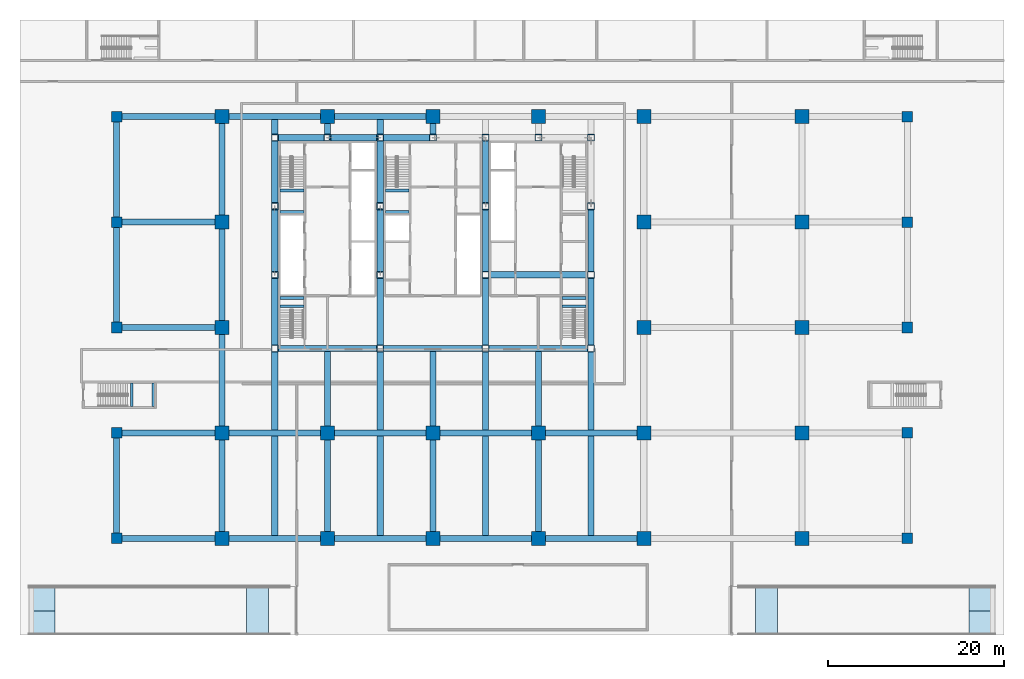
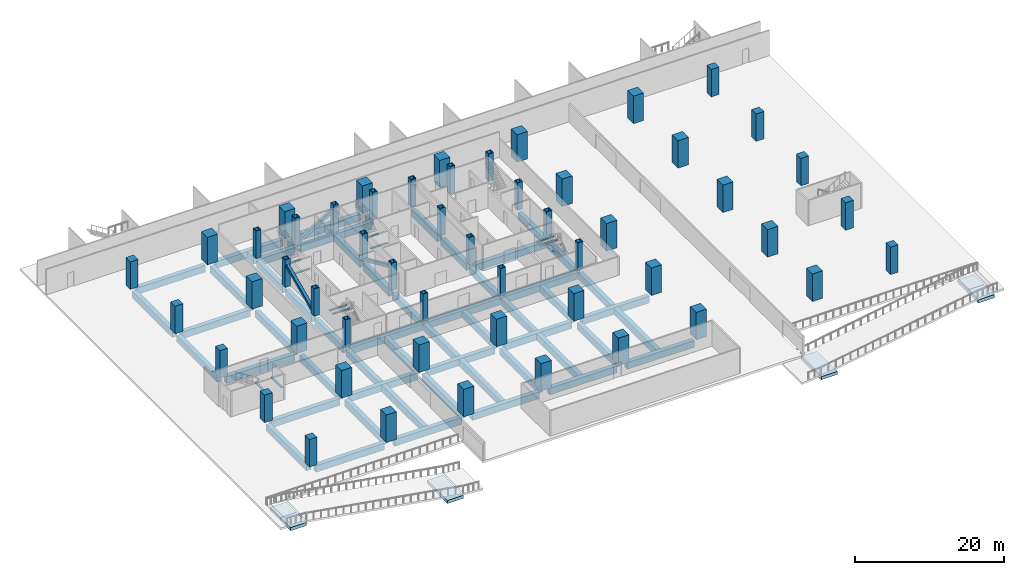
# One storey, part 1 of 15: 68 beams, 53 columns, 6 footings, 3 members.
"""IFC4 building model written with IfcOpenShell, lengths in metres."""

from ifc_helpers import new_model, si_unit, direction, frame, origin, origin_2d, place, context, subcontext, project, spatial, polyline, rectangle, hollow_rectangle, outline, extrude, material, layer, layer_set, material_profile, profile_set, type_object, element, save


model = new_model("IFC4")

# Units and contexts
model_context = context("Model", 3, precision=1e-05, world=origin(), true_north=direction((0.0, 1.0)))
body_context = subcontext(model_context, "Body", "Model", "MODEL_VIEW")
ifc_project = project(units=[si_unit("LENGTHUNIT", "METRE"), si_unit("AREAUNIT", "SQUARE_METRE"), si_unit("VOLUMEUNIT", "CUBIC_METRE"), si_unit("PLANEANGLEUNIT", "RADIAN"), si_unit("MASSUNIT", "GRAM", prefix="KILO")], contexts=[model_context])

# Site, building, storey
site_placement = place(None, origin())
site = spatial("IfcSite", under=ifc_project, at=site_placement, CompositionType="ELEMENT")
building_placement = place(site_placement, origin())
building = spatial("IfcBuilding", under=site, at=building_placement, Name="Sorahane Residences", CompositionType="ELEMENT")
storey_placement = place(building_placement, frame((0.0, 0.0, -9.0)))
storey = spatial("IfcBuildingStorey", under=building, at=storey_placement, Name="B2", CompositionType="ELEMENT", Elevation=-9.0)

# Footings
ifc_material_1 = material(Name="Concrete C35", Category="concrete")
ifc_layer = layer(ifc_material_1, 0.5)
ifc_layer_set = layer_set([ifc_layer], Name="Ramp bearing strip 500 mm Concrete C35")
footing_type = type_object("IfcFootingType", Name="Ramp bearing strip 500 mm Concrete C35", PredefinedType="STRIP_FOOTING", material=ifc_layer_set)
footing_1_placement = place(storey_placement, frame((0.0, 0.0, -1.0)))
element("IfcFooting", 1, at=footing_1_placement, inside=storey, type_object=footing_type, Name="Ramp bearing strip", PredefinedType="STRIP_FOOTING", context=body_context, shape_type="SweptSolid", body=[
    extrude(outline(polyline([(85.0, -11.0), (87.5, -11.0), (87.5, -8.25), (85.0, -8.25), (85.0, -11.0)])), origin(), (0.0, 0.0, 1.0), 0.5),
])
footing_2_placement = place(storey_placement, frame((0.0, 0.0, -1.0)))
element("IfcFooting", 2, at=footing_2_placement, inside=storey, type_object=footing_type, Name="Ramp bearing strip", PredefinedType="STRIP_FOOTING", context=body_context, shape_type="SweptSolid", body=[
    extrude(outline(polyline([(85.0, -8.25), (87.5, -8.25), (87.5, -5.5), (85.0, -5.5), (85.0, -8.25)])), origin(), (0.0, 0.0, 1.0), 0.5),
])
footing_3_placement = place(storey_placement, frame((0.0, 0.0, -5.050048828125)))
element("IfcFooting", 3, at=footing_3_placement, inside=storey, type_object=footing_type, Name="Ramp bearing strip", PredefinedType="STRIP_FOOTING", context=body_context, shape_type="SweptSolid", body=[
    extrude(outline(polyline([(60.699951171875, -11.0), (63.199951171875, -11.0), (63.199951171875, -5.5), (60.699951171875, -5.5), (60.699951171875, -11.0)])), origin(), (0.0, 0.0, 1.0), 0.5),
])
footing_4_placement = place(storey_placement, frame((0.0, 0.0, -1.0)))
element("IfcFooting", 4, at=footing_4_placement, inside=storey, type_object=footing_type, Name="Ramp bearing strip", PredefinedType="STRIP_FOOTING", context=body_context, shape_type="SweptSolid", body=[
    extrude(outline(polyline([(-21.5, -11.0), (-19.0, -11.0), (-19.0, -8.25), (-21.5, -8.25), (-21.5, -11.0)])), origin(), (0.0, 0.0, 1.0), 0.5),
])
footing_5_placement = place(storey_placement, frame((0.0, 0.0, -1.0)))
element("IfcFooting", 5, at=footing_5_placement, inside=storey, type_object=footing_type, Name="Ramp bearing strip", PredefinedType="STRIP_FOOTING", context=body_context, shape_type="SweptSolid", body=[
    extrude(outline(polyline([(-21.5, -8.25), (-19.0, -8.25), (-19.0, -5.5), (-21.5, -5.5), (-21.5, -8.25)])), origin(), (0.0, 0.0, 1.0), 0.5),
])
footing_6_placement = place(storey_placement, frame((0.0, 0.0, -5.050048828125)))
element("IfcFooting", 6, at=footing_6_placement, inside=storey, type_object=footing_type, Name="Ramp bearing strip", PredefinedType="STRIP_FOOTING", context=body_context, shape_type="SweptSolid", body=[
    extrude(outline(polyline([(2.800048828125, -11.0), (5.300048828125, -11.0), (5.300048828125, -5.5), (2.800048828125, -5.5), (2.800048828125, -11.0)])), origin(), (0.0, 0.0, 1.0), 0.5),
])

# Columns
ifc_material_2 = material(Name="Concrete C60", Category="concrete")
ifc_material_profile_1 = material_profile(ifc_material_2, rectangle(XDim=1.199951171875, YDim=1.199951171875, at=origin_2d()), Name="1200x1200")
ifc_profile_set_1 = profile_set([ifc_material_profile_1], Name="Concrete C60")
column_type_1 = type_object("IfcColumnType", Name="RC column 1200 x 1200 Concrete C60", PredefinedType="COLUMN", material=ifc_profile_set_1)
for number, where, z_axis, x_axis, name in (
    (7, (-12.0, 0.0, 0.0), (0.0, 0.0, 1.0), (1.0, 0.0, 0.0), "Column B2 m12/0"),
    (8, (-12.0, 12.0, 0.0), (0.0, 0.0, 1.0), (1.0, 0.0, 0.0), "Column B2 m12/12"),
    (9, (-12.0, 24.0, 0.0), (0.0, 0.0, 1.0), (1.0, 0.0, 0.0), "Column B2 m12/24"),
    (10, (-12.0, 36.0, 0.0), (0.0, 0.0, 1.0), (1.0, 0.0, 0.0), "Column B2 m12/36"),
    (11, (-12.0, 48.0, 0.0), (0.0, 0.0, 1.0), (1.0, 0.0, 0.0), "Column B2 m12/48"),
    (12, (78.0, 0.0, 0.0), (0.0, 0.0, 1.0), (1.0, 0.0, 0.0), "Column B2 78/0"),
    (13, (78.0, 12.0, 0.0), (0.0, 0.0, 1.0), (1.0, 0.0, 0.0), "Column B2 78/12"),
    (14, (78.0, 24.0, 0.0), (0.0, 0.0, 1.0), (1.0, 0.0, 0.0), "Column B2 78/24"),
    (15, (78.0, 36.0, 0.0), (0.0, 0.0, 1.0), (1.0, 0.0, 0.0), "Column B2 78/36"),
    (16, (78.0, 48.0, 0.0), (0.0, 0.0, 1.0), (1.0, 0.0, 0.0), "Column B2 78/48"),
):
    element("IfcColumn", number, at=place(storey_placement, frame(where, z_axis=z_axis, x_axis=x_axis)), inside=storey, type_object=column_type_1, Name=name, PredefinedType="COLUMN", context=body_context, shape_type="SweptSolid", body=[
        extrude(rectangle(XDim=1.199951171875, YDim=1.199951171875, at=origin_2d()), origin(), (0.0, 0.0, 1.0), 4.5),
    ])
ifc_material_3 = material(Name="Concrete C60", Category="concrete")
ifc_material_profile_2 = material_profile(ifc_material_3, rectangle(XDim=1.60009765625, YDim=1.60009765625, at=origin_2d()), Name="1600x1600")
ifc_profile_set_2 = profile_set([ifc_material_profile_2], Name="Concrete C60")
column_type_2 = type_object("IfcColumnType", Name="RC column 1600 x 1600 Concrete C60", PredefinedType="COLUMN", material=ifc_profile_set_2)
for number, where, z_axis, x_axis, name in (
    (17, (0.0, 0.0, 0.0), (0.0, 0.0, 1.0), (1.0, 0.0, 0.0), "Column B2 0/0"),
    (18, (0.0, 12.0, 0.0), (0.0, 0.0, 1.0), (1.0, 0.0, 0.0), "Column B2 0/12"),
    (19, (0.0, 24.0, 0.0), (0.0, 0.0, 1.0), (1.0, 0.0, 0.0), "Column B2 0/24"),
    (20, (0.0, 36.0, 0.0), (0.0, 0.0, 1.0), (1.0, 0.0, 0.0), "Column B2 0/36"),
    (21, (0.0, 48.0, 0.0), (0.0, 0.0, 1.0), (1.0, 0.0, 0.0), "Column B2 0/48"),
    (22, (12.0, 0.0, 0.0), (0.0, 0.0, 1.0), (1.0, 0.0, 0.0), "Column B2 12/0"),
    (23, (12.0, 12.0, 0.0), (0.0, 0.0, 1.0), (1.0, 0.0, 0.0), "Column B2 12/12"),
    (24, (12.0, 48.0, 0.0), (0.0, 0.0, 1.0), (1.0, 0.0, 0.0), "Column B2 12/48"),
    (25, (24.0, 0.0, 0.0), (0.0, 0.0, 1.0), (1.0, 0.0, 0.0), "Column B2 24/0"),
    (26, (24.0, 12.0, 0.0), (0.0, 0.0, 1.0), (1.0, 0.0, 0.0), "Column B2 24/12"),
    (27, (24.0, 48.0, 0.0), (0.0, 0.0, 1.0), (1.0, 0.0, 0.0), "Column B2 24/48"),
    (28, (36.0, 0.0, 0.0), (0.0, 0.0, 1.0), (1.0, 0.0, 0.0), "Column B2 36/0"),
    (29, (36.0, 12.0, 0.0), (0.0, 0.0, 1.0), (1.0, 0.0, 0.0), "Column B2 36/12"),
    (30, (36.0, 48.0, 0.0), (0.0, 0.0, 1.0), (1.0, 0.0, 0.0), "Column B2 36/48"),
    (31, (48.0, 0.0, 0.0), (0.0, 0.0, 1.0), (1.0, 0.0, 0.0), "Column B2 48/0"),
    (32, (48.0, 12.0, 0.0), (0.0, 0.0, 1.0), (1.0, 0.0, 0.0), "Column B2 48/12"),
    (33, (48.0, 24.0, 0.0), (0.0, 0.0, 1.0), (1.0, 0.0, 0.0), "Column B2 48/24"),
    (34, (48.0, 36.0, 0.0), (0.0, 0.0, 1.0), (1.0, 0.0, 0.0), "Column B2 48/36"),
    (35, (48.0, 48.0, 0.0), (0.0, 0.0, 1.0), (1.0, 0.0, 0.0), "Column B2 48/48"),
    (36, (66.0, 0.0, 0.0), (0.0, 0.0, 1.0), (1.0, 0.0, 0.0), "Column B2 66/0"),
    (37, (66.0, 12.0, 0.0), (0.0, 0.0, 1.0), (1.0, 0.0, 0.0), "Column B2 66/12"),
    (38, (66.0, 24.0, 0.0), (0.0, 0.0, 1.0), (1.0, 0.0, 0.0), "Column B2 66/24"),
    (39, (66.0, 36.0, 0.0), (0.0, 0.0, 1.0), (1.0, 0.0, 0.0), "Column B2 66/36"),
    (40, (66.0, 48.0, 0.0), (0.0, 0.0, 1.0), (1.0, 0.0, 0.0), "Column B2 66/48"),
):
    element("IfcColumn", number, at=place(storey_placement, frame(where, z_axis=z_axis, x_axis=x_axis)), inside=storey, type_object=column_type_2, Name=name, PredefinedType="COLUMN", context=body_context, shape_type="SweptSolid", body=[
        extrude(rectangle(XDim=1.60009765625, YDim=1.60009765625, at=origin_2d()), origin(), (0.0, 0.0, 1.0), 4.5),
    ])
ifc_material_4 = material(Name="Steel Q420GJ", Category="steel")
ifc_material_profile_3 = material_profile(ifc_material_4, hollow_rectangle(XDim=0.800048828125, YDim=0.800048828125, WallThickness=0.070068359375, at=origin_2d()), Name="BOX 800x800x70")
ifc_profile_set_3 = profile_set([ifc_material_profile_3], Name="Steel Q420GJ")
column_type_3 = type_object("IfcColumnType", Name="Steel box column BOX 800x800x70 Q420GJ", PredefinedType="COLUMN", material=ifc_profile_set_3)
for number, where, z_axis, x_axis, name in (
    (41, (6.0, 21.60009765625, 0.0), (0.0, 0.0, 1.0), (1.0, 0.0, 0.0), "Column B2 6/21.6"),
    (42, (6.0, 30.0, 0.0), (0.0, 0.0, 1.0), (1.0, 0.0, 0.0), "Column B2 6/30"),
    (43, (6.0, 37.800048828125, 0.0), (0.0, 0.0, 1.0), (1.0, 0.0, 0.0), "Column B2 6/37.8"),
    (44, (6.0, 45.60009765625, 0.0), (0.0, 0.0, 1.0), (1.0, 0.0, 0.0), "Column B2 6/45.6"),
    (45, (12.0, 45.60009765625, 0.0), (0.0, 0.0, 1.0), (1.0, 0.0, 0.0), "Column B2 12/45.6"),
    (46, (18.0, 21.60009765625, 0.0), (0.0, 0.0, 1.0), (1.0, 0.0, 0.0), "Column B2 18/21.6"),
    (47, (18.0, 30.0, 0.0), (0.0, 0.0, 1.0), (1.0, 0.0, 0.0), "Column B2 18/30"),
    (48, (18.0, 37.800048828125, 0.0), (0.0, 0.0, 1.0), (1.0, 0.0, 0.0), "Column B2 18/37.8"),
    (49, (18.0, 45.60009765625, 0.0), (0.0, 0.0, 1.0), (1.0, 0.0, 0.0), "Column B2 18/45.6"),
    (50, (24.0, 45.60009765625, 0.0), (0.0, 0.0, 1.0), (1.0, 0.0, 0.0), "Column B2 24/45.6"),
    (51, (30.0, 21.60009765625, 0.0), (0.0, 0.0, 1.0), (1.0, 0.0, 0.0), "Column B2 30/21.6"),
    (52, (30.0, 30.0, 0.0), (0.0, 0.0, 1.0), (1.0, 0.0, 0.0), "Column B2 30/30"),
    (53, (30.0, 37.800048828125, 0.0), (0.0, 0.0, 1.0), (1.0, 0.0, 0.0), "Column B2 30/37.8"),
    (54, (30.0, 45.60009765625, 0.0), (0.0, 0.0, 1.0), (1.0, 0.0, 0.0), "Column B2 30/45.6"),
    (55, (36.0, 45.60009765625, 0.0), (0.0, 0.0, 1.0), (1.0, 0.0, 0.0), "Column B2 36/45.6"),
    (56, (42.0, 21.60009765625, 0.0), (0.0, 0.0, 1.0), (1.0, 0.0, 0.0), "Column B2 42/21.6"),
    (57, (42.0, 30.0, 0.0), (0.0, 0.0, 1.0), (1.0, 0.0, 0.0), "Column B2 42/30"),
    (58, (42.0, 37.800048828125, 0.0), (0.0, 0.0, 1.0), (1.0, 0.0, 0.0), "Column B2 42/37.8"),
    (59, (42.0, 45.60009765625, 0.0), (0.0, 0.0, 1.0), (1.0, 0.0, 0.0), "Column B2 42/45.6"),
):
    element("IfcColumn", number, at=place(storey_placement, frame(where, z_axis=z_axis, x_axis=x_axis)), inside=storey, type_object=column_type_3, Name=name, PredefinedType="COLUMN", context=body_context, shape_type="SweptSolid", body=[
        extrude(hollow_rectangle(XDim=0.800048828125, YDim=0.800048828125, WallThickness=0.070068359375, at=origin_2d()), origin(), (0.0, 0.0, 1.0), 4.5),
    ])

# Members
ifc_material_5 = material(Name="Steel Q355B", Category="steel")
ifc_material_profile_4 = material_profile(ifc_material_5, hollow_rectangle(XDim=0.5, YDim=0.5, WallThickness=0.02490234375, InnerFilletRadius=0.012451171875, OuterFilletRadius=0.03759765625, at=origin_2d()), Name="RHS 500x500x25")
ifc_profile_set_4 = profile_set([ifc_material_profile_4], Name="Steel Q355B")
member_type = type_object("IfcMemberType", Name="Core brace RHS 500x500x25 Q355B", PredefinedType="BRACE", material=ifc_profile_set_4)
member_placement = place(storey_placement, frame((12.321533203125, 45.60009765625, 0.201904296875), z_axis=(0.852399074137, 0.0, 0.522891784608), x_axis=(0.0, 1.0, 0.0)))
element("IfcMember", 60, at=member_placement, inside=storey, type_object=member_type, Name="Core brace B2 y45.6-2", PredefinedType="BRACE", context=body_context, shape_type="SweptSolid", body=[
    extrude(hollow_rectangle(XDim=0.5, YDim=0.5, WallThickness=0.02490234375, InnerFilletRadius=0.012451171875, OuterFilletRadius=0.03759765625, at=origin_2d()), origin(), (0.0, 0.0, 1.0), 6.284423828125),
])
for number, where, z_axis, x_axis, name in (
    (61, (6.0, 30.337890625, 0.2216796875), (0.0, 0.909967717614, 0.41467909629), (-1.0, 0.0, 0.0), "Core brace B2 x6-2"),
    (62, (18.0, 37.462158203125, 0.2216796875), (0.0, -0.909967717614, 0.41467909629), (1.0, 0.0, 0.0), "Core brace B2 x18-1"),
):
    element("IfcMember", number, at=place(storey_placement, frame(where, z_axis=z_axis, x_axis=x_axis)), inside=storey, type_object=member_type, Name=name, PredefinedType="BRACE", context=body_context, shape_type="SweptSolid", body=[
        extrude(hollow_rectangle(XDim=0.5, YDim=0.5, WallThickness=0.02490234375, InnerFilletRadius=0.012451171875, OuterFilletRadius=0.03759765625, at=origin_2d()), origin(), (0.0, 0.0, 1.0), 7.8291015625),
    ])

# Beams
ifc_material_6 = material(Name="Concrete C40", Category="concrete")
ifc_material_profile_5 = material_profile(ifc_material_6, rectangle(XDim=0.699951171875, YDim=1.10009765625, at=origin_2d()), Name="700x1100")
ifc_profile_set_5 = profile_set([ifc_material_profile_5], Name="Concrete C40")
beam_type_1 = type_object("IfcBeamType", Name="RC beam 700 x 1100 Concrete C40", PredefinedType="BEAM", material=ifc_profile_set_5)
beam_1_placement = place(storey_placement, frame((-11.39990234375, 0.0, -0.89990234375), z_axis=(1.0, 0.0, 0.0), x_axis=(0.0, 1.0, 0.0)))
element("IfcBeam", 63, at=beam_1_placement, inside=storey, type_object=beam_type_1, Name="Beam B2 000", PredefinedType="BEAM", context=body_context, shape_type="SweptSolid", body=[
    extrude(rectangle(XDim=0.699951171875, YDim=1.10009765625, at=origin_2d()), origin(), (0.0, 0.0, 1.0), 10.599853515625),
])
for number, where, z_axis, x_axis, name in (
    (64, (0.800048828125, 0.0, -0.89990234375), (1.0, 0.0, 0.0), (0.0, 1.0, 0.0), "Beam B2 001"),
    (65, (12.800048828125, 0.0, -0.89990234375), (1.0, 0.0, 0.0), (0.0, 1.0, 0.0), "Beam B2 002"),
    (66, (24.800048828125, 0.0, -0.89990234375), (1.0, 0.0, 0.0), (0.0, 1.0, 0.0), "Beam B2 003"),
    (67, (36.800048828125, 0.0, -0.89990234375), (1.0, 0.0, 0.0), (0.0, 1.0, 0.0), "Beam B2 004"),
):
    element("IfcBeam", number, at=place(storey_placement, frame(where, z_axis=z_axis, x_axis=x_axis)), inside=storey, type_object=beam_type_1, Name=name, PredefinedType="BEAM", context=body_context, shape_type="SweptSolid", body=[
        extrude(rectangle(XDim=0.699951171875, YDim=1.10009765625, at=origin_2d()), origin(), (0.0, 0.0, 1.0), 10.39990234375),
    ])
beam_2_placement = place(storey_placement, frame((-11.39990234375, 12.0, -0.89990234375), z_axis=(1.0, 0.0, 0.0), x_axis=(0.0, 1.0, 0.0)))
element("IfcBeam", 68, at=beam_2_placement, inside=storey, type_object=beam_type_1, Name="Beam B2 007", PredefinedType="BEAM", context=body_context, shape_type="SweptSolid", body=[
    extrude(rectangle(XDim=0.699951171875, YDim=1.10009765625, at=origin_2d()), origin(), (0.0, 0.0, 1.0), 10.599853515625),
])
for number, where, z_axis, x_axis, name in (
    (69, (0.800048828125, 12.0, -0.89990234375), (1.0, 0.0, 0.0), (0.0, 1.0, 0.0), "Beam B2 008"),
    (70, (12.800048828125, 12.0, -0.89990234375), (1.0, 0.0, 0.0), (0.0, 1.0, 0.0), "Beam B2 009"),
    (71, (24.800048828125, 12.0, -0.89990234375), (1.0, 0.0, 0.0), (0.0, 1.0, 0.0), "Beam B2 010"),
    (72, (36.800048828125, 12.0, -0.89990234375), (1.0, 0.0, 0.0), (0.0, 1.0, 0.0), "Beam B2 011"),
):
    element("IfcBeam", number, at=place(storey_placement, frame(where, z_axis=z_axis, x_axis=x_axis)), inside=storey, type_object=beam_type_1, Name=name, PredefinedType="BEAM", context=body_context, shape_type="SweptSolid", body=[
        extrude(rectangle(XDim=0.699951171875, YDim=1.10009765625, at=origin_2d()), origin(), (0.0, 0.0, 1.0), 10.39990234375),
    ])
for number, where, z_axis, x_axis, name in (
    (73, (-11.39990234375, 24.0, -0.89990234375), (1.0, 0.0, 0.0), (0.0, 1.0, 0.0), "Beam B2 014"),
    (74, (-11.39990234375, 36.0, -0.89990234375), (1.0, 0.0, 0.0), (0.0, 1.0, 0.0), "Beam B2 017"),
    (75, (-11.39990234375, 48.0, -0.89990234375), (1.0, 0.0, 0.0), (0.0, 1.0, 0.0), "Beam B2 020"),
):
    element("IfcBeam", number, at=place(storey_placement, frame(where, z_axis=z_axis, x_axis=x_axis)), inside=storey, type_object=beam_type_1, Name=name, PredefinedType="BEAM", context=body_context, shape_type="SweptSolid", body=[
        extrude(rectangle(XDim=0.699951171875, YDim=1.10009765625, at=origin_2d()), origin(), (0.0, 0.0, 1.0), 10.599853515625),
    ])
for number, where, z_axis, x_axis, name in (
    (76, (0.800048828125, 48.0, -0.89990234375), (1.0, 0.0, 0.0), (0.0, 1.0, 0.0), "Beam B2 021"),
    (77, (12.800048828125, 48.0, -0.89990234375), (1.0, 0.0, 0.0), (0.0, 1.0, 0.0), "Beam B2 022"),
):
    element("IfcBeam", number, at=place(storey_placement, frame(where, z_axis=z_axis, x_axis=x_axis)), inside=storey, type_object=beam_type_1, Name=name, PredefinedType="BEAM", context=body_context, shape_type="SweptSolid", body=[
        extrude(rectangle(XDim=0.699951171875, YDim=1.10009765625, at=origin_2d()), origin(), (0.0, 0.0, 1.0), 10.39990234375),
    ])
for number, where, z_axis, x_axis, name in (
    (78, (6.39990234375, 21.60009765625, -0.89990234375), (1.0, 0.0, 0.0), (0.0, 1.0, 0.0), "Beam B2 027"),
    (79, (18.39990234375, 21.60009765625, -0.89990234375), (1.0, 0.0, 0.0), (0.0, 1.0, 0.0), "Beam B2 028"),
    (80, (30.39990234375, 21.60009765625, -0.89990234375), (1.0, 0.0, 0.0), (0.0, 1.0, 0.0), "Beam B2 029"),
    (81, (30.39990234375, 30.0, -0.89990234375), (1.0, 0.0, 0.0), (0.0, 1.0, 0.0), "Beam B2 030"),
):
    element("IfcBeam", number, at=place(storey_placement, frame(where, z_axis=z_axis, x_axis=x_axis)), inside=storey, type_object=beam_type_1, Name=name, PredefinedType="BEAM", context=body_context, shape_type="SweptSolid", body=[
        extrude(rectangle(XDim=0.699951171875, YDim=1.10009765625, at=origin_2d()), origin(), (0.0, 0.0, 1.0), 11.2001953125),
    ])
for number, where, z_axis, x_axis, name in (
    (82, (6.39990234375, 45.60009765625, -0.89990234375), (1.0, 0.0, 0.0), (0.0, 1.0, 0.0), "Beam B2 031"),
    (83, (12.39990234375, 45.60009765625, -0.89990234375), (1.0, 0.0, 0.0), (0.0, 1.0, 0.0), "Beam B2 032"),
    (84, (18.39990234375, 45.60009765625, -0.89990234375), (1.0, 0.0, 0.0), (0.0, 1.0, 0.0), "Beam B2 033"),
):
    element("IfcBeam", number, at=place(storey_placement, frame(where, z_axis=z_axis, x_axis=x_axis)), inside=storey, type_object=beam_type_1, Name=name, PredefinedType="BEAM", context=body_context, shape_type="SweptSolid", body=[
        extrude(rectangle(XDim=0.699951171875, YDim=1.10009765625, at=origin_2d()), origin(), (0.0, 0.0, 1.0), 5.2001953125),
    ])
for number, where, z_axis, x_axis, name in (
    (85, (-12.0, 0.60009765625, -0.89990234375), (0.0, 1.0, 0.0), (-1.0, 0.0, 0.0), "Beam B2 037"),
    (86, (-12.0, 24.60009765625, -0.89990234375), (0.0, 1.0, 0.0), (-1.0, 0.0, 0.0), "Beam B2 038"),
    (87, (-12.0, 36.60009765625, -0.89990234375), (0.0, 1.0, 0.0), (-1.0, 0.0, 0.0), "Beam B2 039"),
):
    element("IfcBeam", number, at=place(storey_placement, frame(where, z_axis=z_axis, x_axis=x_axis)), inside=storey, type_object=beam_type_1, Name=name, PredefinedType="BEAM", context=body_context, shape_type="SweptSolid", body=[
        extrude(rectangle(XDim=0.699951171875, YDim=1.10009765625, at=origin_2d()), origin(), (0.0, 0.0, 1.0), 10.7998046875),
    ])
for number, where, z_axis, x_axis, name in (
    (88, (0.0, 0.800048828125, -0.89990234375), (0.0, 1.0, 0.0), (-1.0, 0.0, 0.0), "Beam B2 040"),
    (89, (0.0, 12.800048828125, -0.89990234375), (0.0, 1.0, 0.0), (-1.0, 0.0, 0.0), "Beam B2 041"),
    (90, (0.0, 24.800048828125, -0.89990234375), (0.0, 1.0, 0.0), (-1.0, 0.0, 0.0), "Beam B2 042"),
    (91, (0.0, 36.800048828125, -0.89990234375), (0.0, 1.0, 0.0), (-1.0, 0.0, 0.0), "Beam B2 043"),
    (92, (12.0, 0.800048828125, -0.89990234375), (0.0, 1.0, 0.0), (-1.0, 0.0, 0.0), "Beam B2 044"),
):
    element("IfcBeam", number, at=place(storey_placement, frame(where, z_axis=z_axis, x_axis=x_axis)), inside=storey, type_object=beam_type_1, Name=name, PredefinedType="BEAM", context=body_context, shape_type="SweptSolid", body=[
        extrude(rectangle(XDim=0.699951171875, YDim=1.10009765625, at=origin_2d()), origin(), (0.0, 0.0, 1.0), 10.39990234375),
    ])
beam_3_placement = place(storey_placement, frame((12.0, 12.800048828125, -0.89990234375), z_axis=(0.0, 1.0, 0.0), x_axis=(-1.0, 0.0, 0.0)))
element("IfcBeam", 93, at=beam_3_placement, inside=storey, type_object=beam_type_1, Name="Beam B2 045", PredefinedType="BEAM", context=body_context, shape_type="SweptSolid", body=[
    extrude(rectangle(XDim=0.699951171875, YDim=1.10009765625, at=origin_2d()), origin(), (0.0, 0.0, 1.0), 8.449951171875),
])
beam_4_placement = place(storey_placement, frame((12.0, 46.0, -0.89990234375), z_axis=(0.0, 1.0, 0.0), x_axis=(-1.0, 0.0, 0.0)))
element("IfcBeam", 94, at=beam_4_placement, inside=storey, type_object=beam_type_1, Name="Beam B2 046", PredefinedType="BEAM", context=body_context, shape_type="SweptSolid", body=[
    extrude(rectangle(XDim=0.699951171875, YDim=1.10009765625, at=origin_2d()), origin(), (0.0, 0.0, 1.0), 1.199951171875),
])
beam_5_placement = place(storey_placement, frame((24.0, 0.800048828125, -0.89990234375), z_axis=(0.0, 1.0, 0.0), x_axis=(-1.0, 0.0, 0.0)))
element("IfcBeam", 95, at=beam_5_placement, inside=storey, type_object=beam_type_1, Name="Beam B2 047", PredefinedType="BEAM", context=body_context, shape_type="SweptSolid", body=[
    extrude(rectangle(XDim=0.699951171875, YDim=1.10009765625, at=origin_2d()), origin(), (0.0, 0.0, 1.0), 10.39990234375),
])
beam_6_placement = place(storey_placement, frame((24.0, 12.800048828125, -0.89990234375), z_axis=(0.0, 1.0, 0.0), x_axis=(-1.0, 0.0, 0.0)))
element("IfcBeam", 96, at=beam_6_placement, inside=storey, type_object=beam_type_1, Name="Beam B2 048", PredefinedType="BEAM", context=body_context, shape_type="SweptSolid", body=[
    extrude(rectangle(XDim=0.699951171875, YDim=1.10009765625, at=origin_2d()), origin(), (0.0, 0.0, 1.0), 8.449951171875),
])
beam_7_placement = place(storey_placement, frame((24.0, 46.0, -0.89990234375), z_axis=(0.0, 1.0, 0.0), x_axis=(-1.0, 0.0, 0.0)))
element("IfcBeam", 97, at=beam_7_placement, inside=storey, type_object=beam_type_1, Name="Beam B2 049", PredefinedType="BEAM", context=body_context, shape_type="SweptSolid", body=[
    extrude(rectangle(XDim=0.699951171875, YDim=1.10009765625, at=origin_2d()), origin(), (0.0, 0.0, 1.0), 1.199951171875),
])
beam_8_placement = place(storey_placement, frame((36.0, 0.800048828125, -0.89990234375), z_axis=(0.0, 1.0, 0.0), x_axis=(-1.0, 0.0, 0.0)))
element("IfcBeam", 98, at=beam_8_placement, inside=storey, type_object=beam_type_1, Name="Beam B2 050", PredefinedType="BEAM", context=body_context, shape_type="SweptSolid", body=[
    extrude(rectangle(XDim=0.699951171875, YDim=1.10009765625, at=origin_2d()), origin(), (0.0, 0.0, 1.0), 10.39990234375),
])
beam_9_placement = place(storey_placement, frame((36.0, 12.800048828125, -0.89990234375), z_axis=(0.0, 1.0, 0.0), x_axis=(-1.0, 0.0, 0.0)))
element("IfcBeam", 99, at=beam_9_placement, inside=storey, type_object=beam_type_1, Name="Beam B2 051", PredefinedType="BEAM", context=body_context, shape_type="SweptSolid", body=[
    extrude(rectangle(XDim=0.699951171875, YDim=1.10009765625, at=origin_2d()), origin(), (0.0, 0.0, 1.0), 8.449951171875),
])
beam_10_placement = place(storey_placement, frame((6.0, 0.35009765625, -0.89990234375), z_axis=(0.0, 1.0, 0.0), x_axis=(-1.0, 0.0, 0.0)))
element("IfcBeam", 100, at=beam_10_placement, inside=storey, type_object=beam_type_1, Name="Beam B2 064", PredefinedType="BEAM", context=body_context, shape_type="SweptSolid", body=[
    extrude(rectangle(XDim=0.699951171875, YDim=1.10009765625, at=origin_2d()), origin(), (0.0, 0.0, 1.0), 11.2998046875),
])
beam_11_placement = place(storey_placement, frame((6.0, 12.35009765625, -0.89990234375), z_axis=(0.0, 1.0, 0.0), x_axis=(-1.0, 0.0, 0.0)))
element("IfcBeam", 101, at=beam_11_placement, inside=storey, type_object=beam_type_1, Name="Beam B2 065", PredefinedType="BEAM", context=body_context, shape_type="SweptSolid", body=[
    extrude(rectangle(XDim=0.699951171875, YDim=1.10009765625, at=origin_2d()), origin(), (0.0, 0.0, 1.0), 8.849853515625),
])
beam_12_placement = place(storey_placement, frame((6.0, 22.0, -0.89990234375), z_axis=(0.0, 1.0, 0.0), x_axis=(-1.0, 0.0, 0.0)))
element("IfcBeam", 102, at=beam_12_placement, inside=storey, type_object=beam_type_1, Name="Beam B2 066", PredefinedType="BEAM", context=body_context, shape_type="SweptSolid", body=[
    extrude(rectangle(XDim=0.699951171875, YDim=1.10009765625, at=origin_2d()), origin(), (0.0, 0.0, 1.0), 7.60009765625),
])
for number, where, z_axis, x_axis, name in (
    (103, (6.0, 30.39990234375, -0.89990234375), (0.0, 1.0, 0.0), (-1.0, 0.0, 0.0), "Beam B2 067"),
    (104, (6.0, 38.199951171875, -0.89990234375), (0.0, 1.0, 0.0), (-1.0, 0.0, 0.0), "Beam B2 068"),
):
    element("IfcBeam", number, at=place(storey_placement, frame(where, z_axis=z_axis, x_axis=x_axis)), inside=storey, type_object=beam_type_1, Name=name, PredefinedType="BEAM", context=body_context, shape_type="SweptSolid", body=[
        extrude(rectangle(XDim=0.699951171875, YDim=1.10009765625, at=origin_2d()), origin(), (0.0, 0.0, 1.0), 7.0),
    ])
beam_13_placement = place(storey_placement, frame((6.0, 46.0, -0.89990234375), z_axis=(0.0, 1.0, 0.0), x_axis=(-1.0, 0.0, 0.0)))
element("IfcBeam", 105, at=beam_13_placement, inside=storey, type_object=beam_type_1, Name="Beam B2 069", PredefinedType="BEAM", context=body_context, shape_type="SweptSolid", body=[
    extrude(rectangle(XDim=0.699951171875, YDim=1.10009765625, at=origin_2d()), origin(), (0.0, 0.0, 1.0), 1.64990234375),
])
beam_14_placement = place(storey_placement, frame((18.0, 0.35009765625, -0.89990234375), z_axis=(0.0, 1.0, 0.0), x_axis=(-1.0, 0.0, 0.0)))
element("IfcBeam", 106, at=beam_14_placement, inside=storey, type_object=beam_type_1, Name="Beam B2 070", PredefinedType="BEAM", context=body_context, shape_type="SweptSolid", body=[
    extrude(rectangle(XDim=0.699951171875, YDim=1.10009765625, at=origin_2d()), origin(), (0.0, 0.0, 1.0), 11.2998046875),
])
beam_15_placement = place(storey_placement, frame((18.0, 12.35009765625, -0.89990234375), z_axis=(0.0, 1.0, 0.0), x_axis=(-1.0, 0.0, 0.0)))
element("IfcBeam", 107, at=beam_15_placement, inside=storey, type_object=beam_type_1, Name="Beam B2 071", PredefinedType="BEAM", context=body_context, shape_type="SweptSolid", body=[
    extrude(rectangle(XDim=0.699951171875, YDim=1.10009765625, at=origin_2d()), origin(), (0.0, 0.0, 1.0), 8.849853515625),
])
beam_16_placement = place(storey_placement, frame((18.0, 22.0, -0.89990234375), z_axis=(0.0, 1.0, 0.0), x_axis=(-1.0, 0.0, 0.0)))
element("IfcBeam", 108, at=beam_16_placement, inside=storey, type_object=beam_type_1, Name="Beam B2 072", PredefinedType="BEAM", context=body_context, shape_type="SweptSolid", body=[
    extrude(rectangle(XDim=0.699951171875, YDim=1.10009765625, at=origin_2d()), origin(), (0.0, 0.0, 1.0), 7.60009765625),
])
for number, where, z_axis, x_axis, name in (
    (109, (18.0, 30.39990234375, -0.89990234375), (0.0, 1.0, 0.0), (-1.0, 0.0, 0.0), "Beam B2 073"),
    (110, (18.0, 38.199951171875, -0.89990234375), (0.0, 1.0, 0.0), (-1.0, 0.0, 0.0), "Beam B2 074"),
):
    element("IfcBeam", number, at=place(storey_placement, frame(where, z_axis=z_axis, x_axis=x_axis)), inside=storey, type_object=beam_type_1, Name=name, PredefinedType="BEAM", context=body_context, shape_type="SweptSolid", body=[
        extrude(rectangle(XDim=0.699951171875, YDim=1.10009765625, at=origin_2d()), origin(), (0.0, 0.0, 1.0), 7.0),
    ])
beam_17_placement = place(storey_placement, frame((18.0, 46.0, -0.89990234375), z_axis=(0.0, 1.0, 0.0), x_axis=(-1.0, 0.0, 0.0)))
element("IfcBeam", 111, at=beam_17_placement, inside=storey, type_object=beam_type_1, Name="Beam B2 075", PredefinedType="BEAM", context=body_context, shape_type="SweptSolid", body=[
    extrude(rectangle(XDim=0.699951171875, YDim=1.10009765625, at=origin_2d()), origin(), (0.0, 0.0, 1.0), 1.64990234375),
])
beam_18_placement = place(storey_placement, frame((30.0, 0.35009765625, -0.89990234375), z_axis=(0.0, 1.0, 0.0), x_axis=(-1.0, 0.0, 0.0)))
element("IfcBeam", 112, at=beam_18_placement, inside=storey, type_object=beam_type_1, Name="Beam B2 076", PredefinedType="BEAM", context=body_context, shape_type="SweptSolid", body=[
    extrude(rectangle(XDim=0.699951171875, YDim=1.10009765625, at=origin_2d()), origin(), (0.0, 0.0, 1.0), 11.2998046875),
])
beam_19_placement = place(storey_placement, frame((30.0, 12.35009765625, -0.89990234375), z_axis=(0.0, 1.0, 0.0), x_axis=(-1.0, 0.0, 0.0)))
element("IfcBeam", 113, at=beam_19_placement, inside=storey, type_object=beam_type_1, Name="Beam B2 077", PredefinedType="BEAM", context=body_context, shape_type="SweptSolid", body=[
    extrude(rectangle(XDim=0.699951171875, YDim=1.10009765625, at=origin_2d()), origin(), (0.0, 0.0, 1.0), 8.849853515625),
])
beam_20_placement = place(storey_placement, frame((30.0, 22.0, -0.89990234375), z_axis=(0.0, 1.0, 0.0), x_axis=(-1.0, 0.0, 0.0)))
element("IfcBeam", 114, at=beam_20_placement, inside=storey, type_object=beam_type_1, Name="Beam B2 078", PredefinedType="BEAM", context=body_context, shape_type="SweptSolid", body=[
    extrude(rectangle(XDim=0.699951171875, YDim=1.10009765625, at=origin_2d()), origin(), (0.0, 0.0, 1.0), 7.60009765625),
])
for number, where, z_axis, x_axis, name in (
    (115, (30.0, 30.39990234375, -0.89990234375), (0.0, 1.0, 0.0), (-1.0, 0.0, 0.0), "Beam B2 079"),
    (116, (30.0, 38.199951171875, -0.89990234375), (0.0, 1.0, 0.0), (-1.0, 0.0, 0.0), "Beam B2 080"),
):
    element("IfcBeam", number, at=place(storey_placement, frame(where, z_axis=z_axis, x_axis=x_axis)), inside=storey, type_object=beam_type_1, Name=name, PredefinedType="BEAM", context=body_context, shape_type="SweptSolid", body=[
        extrude(rectangle(XDim=0.699951171875, YDim=1.10009765625, at=origin_2d()), origin(), (0.0, 0.0, 1.0), 7.0),
    ])
beam_21_placement = place(storey_placement, frame((42.0, 0.35009765625, -0.89990234375), z_axis=(0.0, 1.0, 0.0), x_axis=(-1.0, 0.0, 0.0)))
element("IfcBeam", 117, at=beam_21_placement, inside=storey, type_object=beam_type_1, Name="Beam B2 082", PredefinedType="BEAM", context=body_context, shape_type="SweptSolid", body=[
    extrude(rectangle(XDim=0.699951171875, YDim=1.10009765625, at=origin_2d()), origin(), (0.0, 0.0, 1.0), 11.2998046875),
])
beam_22_placement = place(storey_placement, frame((42.0, 12.35009765625, -0.89990234375), z_axis=(0.0, 1.0, 0.0), x_axis=(-1.0, 0.0, 0.0)))
element("IfcBeam", 118, at=beam_22_placement, inside=storey, type_object=beam_type_1, Name="Beam B2 083", PredefinedType="BEAM", context=body_context, shape_type="SweptSolid", body=[
    extrude(rectangle(XDim=0.699951171875, YDim=1.10009765625, at=origin_2d()), origin(), (0.0, 0.0, 1.0), 8.849853515625),
])
beam_23_placement = place(storey_placement, frame((42.0, 22.0, -0.89990234375), z_axis=(0.0, 1.0, 0.0), x_axis=(-1.0, 0.0, 0.0)))
element("IfcBeam", 119, at=beam_23_placement, inside=storey, type_object=beam_type_1, Name="Beam B2 084", PredefinedType="BEAM", context=body_context, shape_type="SweptSolid", body=[
    extrude(rectangle(XDim=0.699951171875, YDim=1.10009765625, at=origin_2d()), origin(), (0.0, 0.0, 1.0), 7.60009765625),
])
beam_24_placement = place(storey_placement, frame((42.0, 30.39990234375, -0.89990234375), z_axis=(0.0, 1.0, 0.0), x_axis=(-1.0, 0.0, 0.0)))
element("IfcBeam", 120, at=beam_24_placement, inside=storey, type_object=beam_type_1, Name="Beam B2 085", PredefinedType="BEAM", context=body_context, shape_type="SweptSolid", body=[
    extrude(rectangle(XDim=0.699951171875, YDim=1.10009765625, at=origin_2d()), origin(), (0.0, 0.0, 1.0), 7.0),
])
ifc_material_7 = material(Name="Concrete C40", Category="concrete")
ifc_material_profile_6 = material_profile(ifc_material_7, rectangle(XDim=0.300048828125, YDim=0.139892578125, at=origin_2d()), Name="300x140")
ifc_profile_set_6 = profile_set([ifc_material_profile_6], Name="Concrete C40")
beam_type_2 = type_object("IfcBeamType", Name="RC landing beam 300 x 140 Concrete C40", PredefinedType="BEAM", material=ifc_profile_set_6)
for number, where, z_axis, x_axis, name in (
    (121, (-10.2900390625, 15.0, 1.97998046875), (0.0, 1.0, 0.0), (-1.0, 0.0, 0.0), "Landing beam"),
    (122, (-7.85009765625, 15.0, 1.97998046875), (0.0, 1.0, 0.0), (-1.0, 0.0, 0.0), "Landing beam"),
    (123, (6.60009765625, 37.14990234375, 1.97998046875), (1.0, 0.0, 0.0), (0.0, 1.0, 0.0), "Landing beam"),
    (124, (6.60009765625, 39.590087890625, 1.97998046875), (1.0, 0.0, 0.0), (0.0, 1.0, 0.0), "Landing beam"),
    (125, (18.60009765625, 37.14990234375, 1.97998046875), (1.0, 0.0, 0.0), (0.0, 1.0, 0.0), "Landing beam"),
    (126, (18.60009765625, 39.590087890625, 1.97998046875), (1.0, 0.0, 0.0), (0.0, 1.0, 0.0), "Landing beam"),
    (127, (6.60009765625, 26.419921875, 1.97998046875), (1.0, 0.0, 0.0), (0.0, 1.0, 0.0), "Landing beam"),
    (128, (6.60009765625, 27.35009765625, 1.97998046875), (1.0, 0.0, 0.0), (0.0, 1.0, 0.0), "Landing beam"),
    (129, (38.699951171875, 26.419921875, 1.97998046875), (1.0, 0.0, 0.0), (0.0, 1.0, 0.0), "Landing beam"),
    (130, (38.699951171875, 27.35009765625, 1.97998046875), (1.0, 0.0, 0.0), (0.0, 1.0, 0.0), "Landing beam"),
):
    element("IfcBeam", number, at=place(storey_placement, frame(where, z_axis=z_axis, x_axis=x_axis)), inside=storey, type_object=beam_type_2, Name=name, PredefinedType="BEAM", context=body_context, shape_type="SweptSolid", body=[
        extrude(rectangle(XDim=0.300048828125, YDim=0.139892578125, at=origin_2d()), origin(), (0.0, 0.0, 1.0), 2.699951171875),
    ])

save(model, "model.ifc")
